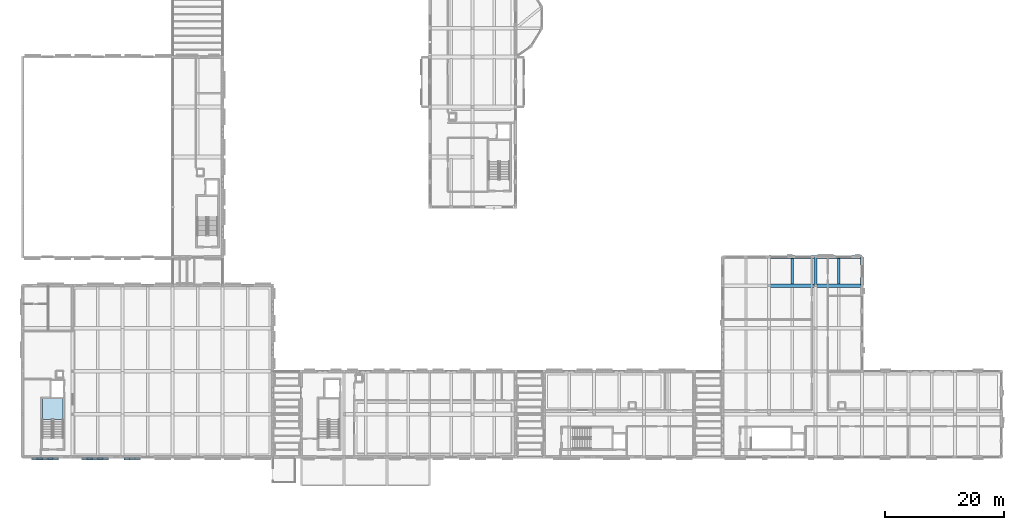
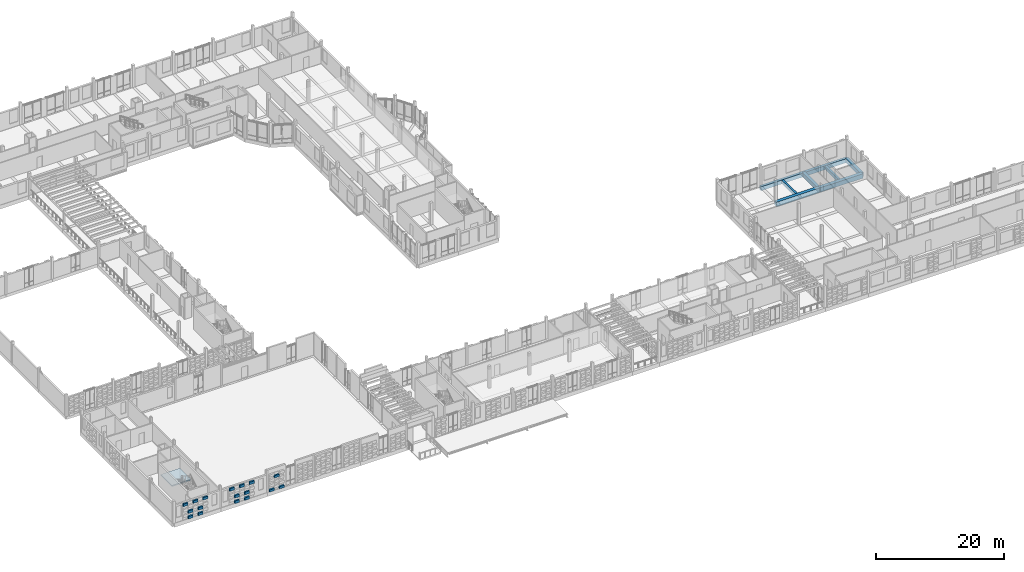
# One storey, part 43 of 99: 17 plates, 8 beams, 1 slab, 1 element without a shape of its own.
"""IFC4 building model written with IfcOpenShell, lengths in metres."""

from ifc_helpers import new_model, si_unit, direction, frame, origin, origin_2d, place, context, subcontext, project, spatial, polyline, rectangle, outline, extrude, material, layer, layer_set, material_profile, profile_set, type_object, element, aggregate, save


model = new_model("IFC4")

# Units and contexts
model_context = context("Model", 3, precision=1e-05, world=origin(), true_north=direction((0.0, 1.0)))
body_context = subcontext(model_context, "Body", "Model", "MODEL_VIEW")
ifc_project = project(units=[si_unit("LENGTHUNIT", "METRE"), si_unit("AREAUNIT", "SQUARE_METRE"), si_unit("VOLUMEUNIT", "CUBIC_METRE"), si_unit("PLANEANGLEUNIT", "RADIAN"), si_unit("MASSUNIT", "GRAM", prefix="KILO")], contexts=[model_context])

# Site, building, storey
site_placement = place(None, origin())
site = spatial("IfcSite", under=ifc_project, at=site_placement, CompositionType="ELEMENT")
building_placement = place(site_placement, origin())
building = spatial("IfcBuilding", under=site, at=building_placement, Name="Kahlenmark Community Centre", CompositionType="ELEMENT")
storey_placement = place(building_placement, frame((0.0, 0.0, 5.39990234375)))
storey = spatial("IfcBuildingStorey", under=building, at=storey_placement, Name="L01", CompositionType="ELEMENT", Elevation=5.39990234375)

# Beams
ifc_material_1 = material(Name="Concrete C35/45", Category="concrete")
ifc_material_profile_1 = material_profile(ifc_material_1, rectangle(XDim=0.5, YDim=0.75, at=origin_2d()), Name="RC 500x750")
ifc_profile_set_1 = profile_set([ifc_material_profile_1], Name="Concrete C35/45")
beam_type_1 = type_object("IfcBeamType", Name="BT-BEAM-RC500x750", PredefinedType="BEAM", material=ifc_profile_set_1)
beam_1_placement = place(storey_placement, frame((137.199951171875, 37.60009765625, -0.375), z_axis=(0.0, 1.0, 0.0), x_axis=(-1.0, 0.0, 0.0)))
element("IfcBeam", 1, at=beam_1_placement, inside=storey, type_object=beam_type_1, Name="L01 beam BG-RC500x750", PredefinedType="BEAM", context=body_context, shape_type="SweptSolid", body=[
    extrude(rectangle(XDim=0.5, YDim=0.75, at=origin_2d()), origin(), (0.0, 0.0, 1.0), 4.7998046875),
])
ifc_material_profile_2 = material_profile(ifc_material_1, rectangle(XDim=0.60009765625, YDim=0.85009765625, at=origin_2d()), Name="RC 600x850")
ifc_profile_set_2 = profile_set([ifc_material_profile_2], Name="Concrete C35/45")
beam_type_2 = type_object("IfcBeamType", Name="BT-BEAM-RC600x850", PredefinedType="BEAM", material=ifc_profile_set_2)
for number, where, z_axis, x_axis, name in (
    (2, (129.39990234375, 37.60009765625, -0.4248046875), (1.0, 0.0, 0.0), (0.0, 1.0, 0.0), "L01 beam BG-RC600x850"),
    (3, (137.199951171875, 37.60009765625, -0.4248046875), (1.0, 0.0, 0.0), (0.0, 1.0, 0.0), "L01 beam BG-RC600x850"),
):
    element("IfcBeam", number, at=place(storey_placement, frame(where, z_axis=z_axis, x_axis=x_axis)), inside=storey, type_object=beam_type_2, Name=name, PredefinedType="BEAM", context=body_context, shape_type="SweptSolid", body=[
        extrude(rectangle(XDim=0.60009765625, YDim=0.85009765625, at=origin_2d()), origin(), (0.0, 0.0, 1.0), 7.800048828125),
    ])
ifc_material_profile_3 = material_profile(ifc_material_1, rectangle(XDim=0.39990234375, YDim=0.64990234375, at=origin_2d()), Name="RC 400x650")
ifc_profile_set_3 = profile_set([ifc_material_profile_3], Name="Concrete C35/45")
beam_type_3 = type_object("IfcBeamType", Name="BT-JOIST-RC400x650", PredefinedType="JOIST", material=ifc_profile_set_3)
for number, where, z_axis, x_axis, name in (
    (4, (133.300048828125, 37.89794921875, -0.324951171875), (0.0, 1.0, 0.0), (-1.0, 0.0, 0.0), "L01 joist BJ-RC400x650"),
    (5, (141.10009765625, 37.89794921875, -0.324951171875), (0.0, 1.0, 0.0), (-1.0, 0.0, 0.0), "L01 joist BJ-RC400x650"),
):
    element("IfcBeam", number, at=place(storey_placement, frame(where, z_axis=z_axis, x_axis=x_axis)), inside=storey, type_object=beam_type_3, Name=name, PredefinedType="JOIST", context=body_context, shape_type="SweptSolid", body=[
        extrude(rectangle(XDim=0.39990234375, YDim=0.64990234375, at=origin_2d()), origin(), (0.0, 0.0, 1.0), 4.254150390625),
    ])
ifc_material_profile_4 = material_profile(ifc_material_1, rectangle(XDim=0.5, YDim=0.75, at=origin_2d()), Name="RC 500x750")
ifc_profile_set_4 = profile_set([ifc_material_profile_4], Name="Concrete C35/45")
beam_type_4 = type_object("IfcBeamType", Name="BT-SPANDREL-RC500x750", PredefinedType="SPANDREL", material=ifc_profile_set_4)
for number, where, z_axis, x_axis, name in (
    (6, (129.39990234375, 42.39990234375, -0.375), (1.0, 0.0, 0.0), (0.0, 1.0, 0.0), "L01 spandrel SP-RC500x750"),
    (7, (137.199951171875, 42.39990234375, -0.375), (1.0, 0.0, 0.0), (0.0, 1.0, 0.0), "L01 spandrel SP-RC500x750"),
):
    element("IfcBeam", number, at=place(storey_placement, frame(where, z_axis=z_axis, x_axis=x_axis)), inside=storey, type_object=beam_type_4, Name=name, PredefinedType="SPANDREL", context=body_context, shape_type="SweptSolid", body=[
        extrude(rectangle(XDim=0.5, YDim=0.75, at=origin_2d()), origin(), (0.0, 0.0, 1.0), 7.800048828125),
    ])
beam_2_placement = place(storey_placement, frame((145.0, 37.60009765625, -0.375), z_axis=(0.0, 1.0, 0.0), x_axis=(-1.0, 0.0, 0.0)))
element("IfcBeam", 8, at=beam_2_placement, inside=storey, type_object=beam_type_4, Name="L01 spandrel SP-RC500x750", PredefinedType="SPANDREL", context=body_context, shape_type="SweptSolid", body=[
    extrude(rectangle(XDim=0.5, YDim=0.75, at=origin_2d()), origin(), (0.0, 0.0, 1.0), 4.7998046875),
])

# Plates
ifc_material_2 = material(Name="Extruded glazed terracotta weave cassette", Category="masonry")
ifc_layer_1 = layer(ifc_material_2, 0.300048828125)
ifc_layer_set_1 = layer_set([ifc_layer_1], Name="Extruded glazed terracotta weave cassette")
plate_type_1 = type_object("IfcPlateType", Name="PLT-TC-TC-R34-840X300X492", PredefinedType="SHEET", material=ifc_layer_set_1)
for number, where, z_axis, x_axis, name in (
    (9, (6.830078125, 8.5, 1.1640625), (0.0, 0.0, 1.0), (1.0, 0.0, 0.0), "Basketweave terracotta cassette 0009"),
    (10, (8.6298828125, 8.5, 1.1640625), (0.0, 0.0, 1.0), (1.0, 0.0, 0.0), "Basketweave terracotta cassette 0021"),
    (11, (15.22998046875, 8.5, 1.1640625), (0.0, 0.0, 1.0), (1.0, 0.0, 0.0), "Basketweave terracotta cassette 0039"),
    (12, (17.030029296875, 8.5, 1.1640625), (0.0, 0.0, 1.0), (1.0, 0.0, 0.0), "Basketweave terracotta cassette 0051"),
):
    element("IfcPlate", number, at=place(storey_placement, frame(where, z_axis=z_axis, x_axis=x_axis)), inside=storey, type_object=plate_type_1, Name=name, PredefinedType="SHEET", context=body_context, shape_type="SweptSolid", body=[
        extrude(rectangle(XDim=0.840087890625, YDim=0.300048828125, at=origin_2d()), origin(), (0.0, 0.0, 1.0), 0.491943359375),
    ])
ifc_layer_2 = layer(ifc_material_2, 0.300048828125)
ifc_layer_set_2 = layer_set([ifc_layer_2], Name="Extruded glazed terracotta weave cassette")
plate_type_2 = type_object("IfcPlateType", Name="PLT-TC-TC-R34-860X300X437", PredefinedType="SHEET", material=ifc_layer_set_2)
for number, where, z_axis, x_axis, name in (
    (13, (21.530029296875, 8.5, 0.10009765625), (0.0, 0.0, 1.0), (1.0, 0.0, 0.0), "Basketweave terracotta cassette 0061"),
    (14, (23.330078125, 8.5, 0.10009765625), (0.0, 0.0, 1.0), (1.0, 0.0, 0.0), "Basketweave terracotta cassette 0075"),
):
    element("IfcPlate", number, at=place(storey_placement, frame(where, z_axis=z_axis, x_axis=x_axis)), inside=storey, type_object=plate_type_2, Name=name, PredefinedType="SHEET", context=body_context, shape_type="SweptSolid", body=[
        extrude(rectangle(XDim=0.860107421875, YDim=0.300048828125, at=origin_2d()), origin(), (0.0, 0.0, 1.0), 0.43701171875),
    ])
ifc_layer_3 = layer(ifc_material_2, 0.300048828125)
ifc_layer_set_3 = layer_set([ifc_layer_3], Name="Extruded glazed terracotta weave cassette")
plate_type_3 = type_object("IfcPlateType", Name="PLT-TC-TC-R34-860X300X492", PredefinedType="SHEET", material=ifc_layer_set_3)
for number, where, z_axis, x_axis, name in (
    (15, (6.830078125, 8.5, 0.10009765625), (0.0, 0.0, 1.0), (1.0, 0.0, 0.0), "Basketweave terracotta cassette 0007"),
    (16, (8.6298828125, 8.5, 0.10009765625), (0.0, 0.0, 1.0), (1.0, 0.0, 0.0), "Basketweave terracotta cassette 0019"),
    (17, (15.22998046875, 8.5, 0.10009765625), (0.0, 0.0, 1.0), (1.0, 0.0, 0.0), "Basketweave terracotta cassette 0037"),
    (18, (17.030029296875, 8.5, 0.10009765625), (0.0, 0.0, 1.0), (1.0, 0.0, 0.0), "Basketweave terracotta cassette 0049"),
):
    element("IfcPlate", number, at=place(storey_placement, frame(where, z_axis=z_axis, x_axis=x_axis)), inside=storey, type_object=plate_type_3, Name=name, PredefinedType="SHEET", context=body_context, shape_type="SweptSolid", body=[
        extrude(rectangle(XDim=0.860107421875, YDim=0.300048828125, at=origin_2d()), origin(), (0.0, 0.0, 1.0), 0.491943359375),
    ])
ifc_layer_4 = layer(ifc_material_2, 0.280029296875)
ifc_layer_set_4 = layer_set([ifc_layer_4], Name="Extruded glazed terracotta weave cassette")
plate_type_4 = type_object("IfcPlateType", Name="PLT-TC-TC-W30-860X280X437", PredefinedType="SHEET", material=ifc_layer_set_4)
plate_placement = place(storey_placement, frame((22.429931640625, 8.510009765625, 2.485107421875), z_axis=(0.0, 0.0, 1.0), x_axis=(1.0, 0.0, 0.0)))
element("IfcPlate", 19, at=plate_placement, inside=storey, type_object=plate_type_4, Name="Basketweave terracotta cassette 0073", PredefinedType="SHEET", context=body_context, shape_type="SweptSolid", body=[
    extrude(rectangle(XDim=0.860107421875, YDim=0.280029296875, at=origin_2d()), origin(), (0.0, 0.0, 1.0), 0.43701171875),
])
ifc_layer_5 = layer(ifc_material_2, 0.280029296875)
ifc_layer_set_5 = layer_set([ifc_layer_5], Name="Extruded glazed terracotta weave cassette")
plate_type_5 = type_object("IfcPlateType", Name="PLT-TC-TC-W30-860X280X492", PredefinedType="SHEET", material=ifc_layer_set_5)
for number, where, z_axis, x_axis, name in (
    (20, (5.929931640625, 8.510009765625, 2.76025390625), (0.0, 0.0, 1.0), (1.0, 0.0, 0.0), "Basketweave terracotta cassette 0006"),
    (21, (7.72998046875, 8.510009765625, 2.76025390625), (0.0, 0.0, 1.0), (1.0, 0.0, 0.0), "Basketweave terracotta cassette 0018"),
    (22, (9.530029296875, 8.510009765625, 2.76025390625), (0.0, 0.0, 1.0), (1.0, 0.0, 0.0), "Basketweave terracotta cassette 0030"),
    (23, (14.330078125, 8.510009765625, 2.76025390625), (0.0, 0.0, 1.0), (1.0, 0.0, 0.0), "Basketweave terracotta cassette 0036"),
    (24, (16.1298828125, 8.510009765625, 2.76025390625), (0.0, 0.0, 1.0), (1.0, 0.0, 0.0), "Basketweave terracotta cassette 0048"),
    (25, (17.929931640625, 8.510009765625, 2.76025390625), (0.0, 0.0, 1.0), (1.0, 0.0, 0.0), "Basketweave terracotta cassette 0060"),
):
    element("IfcPlate", number, at=place(storey_placement, frame(where, z_axis=z_axis, x_axis=x_axis)), inside=storey, type_object=plate_type_5, Name=name, PredefinedType="SHEET", context=body_context, shape_type="SweptSolid", body=[
        extrude(rectangle(XDim=0.860107421875, YDim=0.280029296875, at=origin_2d()), origin(), (0.0, 0.0, 1.0), 0.491943359375),
    ])

# Stair, slab
stair_type = type_object("IfcStairType", Name="STT-CORE-ST-01-175", PredefinedType="HALF_TURN_STAIR", material=ifc_material_1)
stair_placement = place(storey_placement, origin())
stair = element("IfcStair", 26, at=stair_placement, inside=storey, type_object=stair_type, Name="L01 Core K1 Escape Stair ST-01", PredefinedType="HALF_TURN_STAIR")
ifc_layer_6 = layer(ifc_material_1, 0.199951171875)
ifc_layer_set_6 = layer_set([ifc_layer_6], Name="Concrete C35/45")
slab_type = type_object("IfcSlabType", Name="SLT-CORE-200", PredefinedType="LANDING", material=ifc_layer_set_6)
slab_placement = place(storey_placement, frame((0.0, 0.0, 1.900146484375)))
slab = element("IfcSlab", 27, at=slab_placement, type_object=slab_type, Name="ST-01 landing 1", PredefinedType="LANDING", context=body_context, shape_type="SweptSolid", body=[
    extrude(outline(polyline([(10.800048828125, 15.080078125), (10.800048828125, 18.60009765625), (7.300048828125, 18.60009765625), (7.300048828125, 15.080078125), (10.800048828125, 15.080078125)])), origin(), (0.0, 0.0, 1.0), 0.199951171875),
])
aggregate(stair, [slab])

save(model, "model.ifc")
